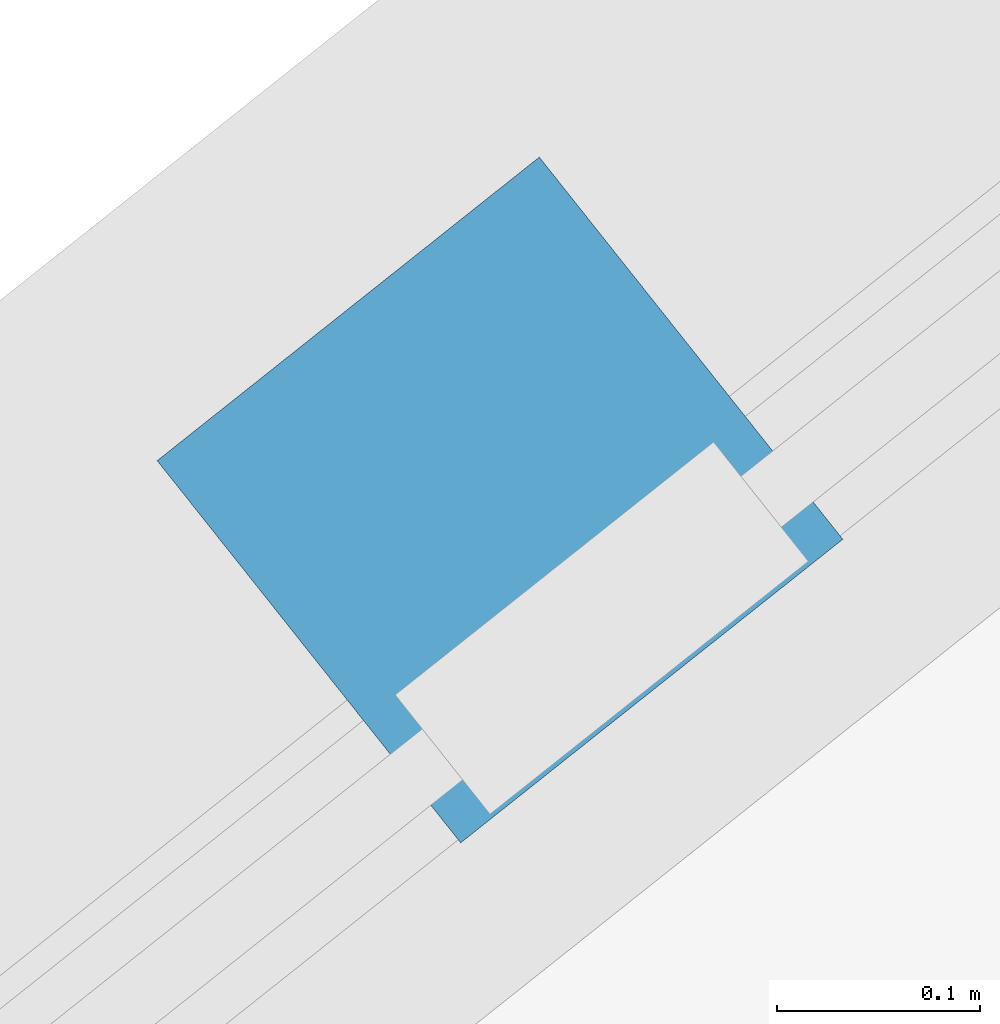
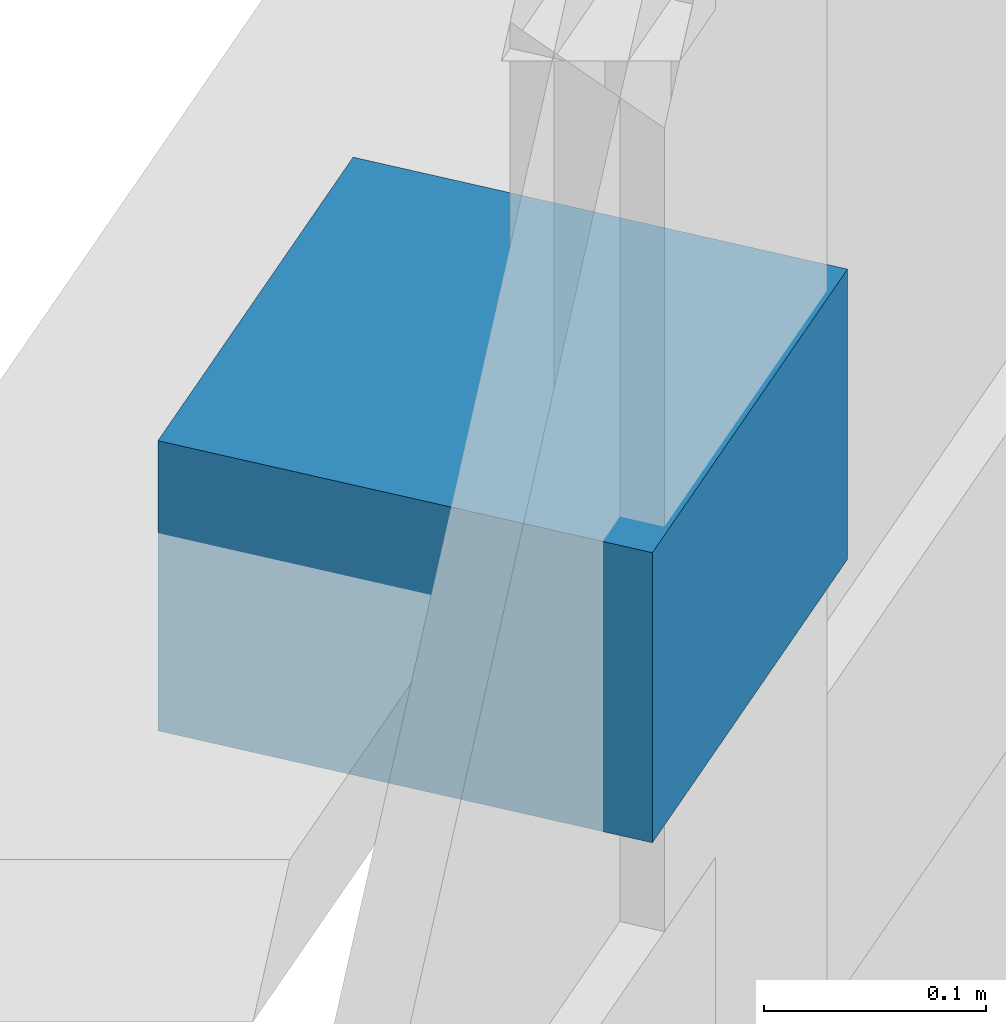
# One storey, part 69 of 76: 1 discrete accessory.
"""IFC4 building model written with IfcOpenShell, lengths in metres."""

import ifcopenshell
import ifcopenshell.guid

model = None  # the IFC model being written
_history = None  # IfcOwnerHistory: only IFC2X3 demands one
_inside = {}  # id of a spatial element -> (the spatial element, [elements in it])
_under = {}  # id of a project, library or spatial element -> (it, [spatial elements below it])
_declared = {}  # id of a project -> (the project, [libraries it declares])
_typed = {}  # id of a type object -> (the type object, [elements of that type])
_made_of = {}  # id of a material, layer set ... -> (it, [elements and type objects made of it])


def new_model(schema):
    """Start an empty IFC model of exactly this schema.

    Asked for "IFC4X3", IfcOpenShell would pick the latest addendum, in which some entities
    have other attributes; the version numbers below select the first issue.
    IFC2X3 requires an IfcOwnerHistory on every rooted entity: one is made here for all.
    """
    global model, _history
    if schema == "IFC4X3":
        model = ifcopenshell.file(schema_version=(4, 3, 0, 0))
    else:
        model = ifcopenshell.file(schema=schema)
    _inside.clear()
    _under.clear()
    _declared.clear()
    _typed.clear()
    _made_of.clear()
    _history = None
    if model.schema == "IFC2X3":
        org = make("IfcOrganization", Name="unknown")
        user = make(
            "IfcPersonAndOrganization",
            ThePerson=make("IfcPerson", FamilyName="unknown"),
            TheOrganization=org,
        )
        app = make(
            "IfcApplication",
            ApplicationDeveloper=org,
            Version="unknown",
            ApplicationFullName="unknown",
            ApplicationIdentifier="unknown",
        )
        _history = make(
            "IfcOwnerHistory",
            OwningUser=user,
            OwningApplication=app,
            ChangeAction="ADDED",
            CreationDate=0,
        )
    return model


def make(cls, **values):
    """One entity of the class cls with the attributes given. An attribute that is None is left unset."""
    return model.create_entity(
        cls, **{name: value for name, value in values.items() if value is not None}
    )


def rooted(cls, **values):
    """An entity with a GlobalId (a new one), such as an element, a storey or a relation."""
    return make(cls, GlobalId=ifcopenshell.guid.new(), OwnerHistory=_history, **values)


def si_unit(unit_type, name, prefix=None):
    """IfcSIUnit, for example si_unit("LENGTHUNIT", "METRE", prefix="MILLI")."""
    return make("IfcSIUnit", UnitType=unit_type, Prefix=prefix, Name=name)


def assignment(units):
    """IfcUnitAssignment: the units of a project."""
    return None if units is None else make("IfcUnitAssignment", Units=units)


def point(xyz):
    """IfcCartesianPoint."""
    return None if xyz is None else make("IfcCartesianPoint", Coordinates=xyz)


def direction(xyz):
    """IfcDirection."""
    return None if xyz is None else make("IfcDirection", DirectionRatios=xyz)


def frame(location, z_axis=None, x_axis=None):
    """IfcAxis2Placement3D, a coordinate frame: its origin and axes. An axis left out is left unset."""
    return make(
        "IfcAxis2Placement3D",
        Location=point(location),
        Axis=direction(z_axis),
        RefDirection=direction(x_axis),
    )


def frame_2d(location, x_axis=None):
    """IfcAxis2Placement2D, a coordinate frame in the plane: its origin and x axis."""
    return make(
        "IfcAxis2Placement2D", Location=point(location), RefDirection=direction(x_axis)
    )


def origin():
    """The frame at (0, 0, 0) with its axes left unset."""
    return frame((0.0, 0.0, 0.0))


def origin_2d():
    """The frame at (0, 0) in the plane with its x axis left unset."""
    return frame_2d((0.0, 0.0))


def place(relative_to, where):
    """IfcLocalPlacement: puts the frame where relative to a parent placement (None: the world)."""
    return make(
        "IfcLocalPlacement", PlacementRelTo=relative_to, RelativePlacement=where
    )


def context(
    kind, dimensions, precision=None, world=None, true_north=None, identifier=None
):
    """IfcGeometricRepresentationContext, for example the 3D "Model" context."""
    return make(
        "IfcGeometricRepresentationContext",
        ContextIdentifier=identifier,
        ContextType=kind,
        CoordinateSpaceDimension=dimensions,
        Precision=precision,
        WorldCoordinateSystem=world,
        TrueNorth=true_north,
    )


def subcontext(parent, identifier, kind, view, scale=None):
    """IfcGeometricRepresentationSubContext, for example "Body" below "Model"."""
    return make(
        "IfcGeometricRepresentationSubContext",
        ContextIdentifier=identifier,
        ContextType=kind,
        ParentContext=parent,
        TargetScale=scale,
        TargetView=view,
    )


def project(units=None, contexts=None):
    """IfcProject with its units and contexts."""
    return rooted(
        "IfcProject",
        Name="project",
        RepresentationContexts=contexts,
        UnitsInContext=assignment(units),
    )


def spatial(cls, under=None, at=None, **own):
    """A site, building, storey or space (cls), placed at a placement, below another one or the project."""
    s = rooted(cls, ObjectPlacement=at, **own)
    if under is not None:
        _under.setdefault(under.id(), (under, []))[1].append(s)
    return s


def profile(cls, at=None, kind="AREA", **sizes):
    """A parametric profile (cls). Its sizes go by their IFC names, for example OverallWidth=200.0."""
    return make(cls, ProfileType=kind, Position=at, **sizes)


def rectangle(**sizes):
    """IfcRectangleProfileDef."""
    return profile("IfcRectangleProfileDef", **sizes)


def extrude(swept, where, along, depth):
    """IfcExtrudedAreaSolid: the profile swept, set in the frame where, extruded along a direction by depth."""
    return make(
        "IfcExtrudedAreaSolid",
        SweptArea=swept,
        Position=where,
        ExtrudedDirection=direction(along),
        Depth=depth,
    )


def shape(context_of_items, identifier, shape_type, items):
    """IfcShapeRepresentation: the items that make up one representation, for example the "Body"."""
    return make(
        "IfcShapeRepresentation",
        ContextOfItems=context_of_items,
        RepresentationIdentifier=identifier,
        RepresentationType=shape_type,
        Items=items,
    )


def material(Name=None, Category=None):
    """IfcMaterial."""
    return make("IfcMaterial", Name=Name, Category=Category)


def made_of(thing, what):
    """Note that an element or type object is made of a material, layer set ...; save() writes the relation."""
    if what is not None:
        _made_of.setdefault(what.id(), (what, []))[1].append(thing)
    return thing


def type_object(cls, material=None, **own):
    """A type object (cls), such as IfcWallType, which elements share."""
    return made_of(rooted(cls, **own), material)


def element(
    cls,
    number,
    at=None,
    inside=None,
    cuts=None,
    type_object=None,
    material=None,
    context=None,
    identifier="Body",
    shape_type=None,
    held_by="IfcProductDefinitionShape",
    body=None,
    shapes=None,
    **own,
):
    """One element of the class cls, such as IfcWall. Its Tag is "e" and its number.

    at: its placement. inside: the storey or other place that contains it. cuts: it is an
    opening in that element (IfcRelVoidsElement). A single representation is given by context,
    identifier, shape_type and body (its items); several are given by shapes. held_by: the class
    of the entity that holds the representations. save() writes the other relations.
    """
    e = rooted(cls, Tag="e%d" % number, ObjectPlacement=at, **own)
    if body is not None:
        shapes = [shape(context, identifier, shape_type, body)]
    if shapes is not None:
        e.Representation = make(held_by, Representations=shapes)
    if inside is not None:
        _inside.setdefault(inside.id(), (inside, []))[1].append(e)
    if cuts is not None:
        rooted(
            "IfcRelVoidsElement", RelatingBuildingElement=cuts, RelatedOpeningElement=e
        )
    if type_object is not None:
        _typed.setdefault(type_object.id(), (type_object, []))[1].append(e)
    return made_of(e, material)


def aggregate(whole, parts):
    """IfcRelAggregates: a whole, such as a stair, and the parts it consists of."""
    return rooted("IfcRelAggregates", RelatingObject=whole, RelatedObjects=parts)


def save(model, path):
    """Write the relations noted so far, then the file.

    IfcRelAggregates (storeys below a building ...), IfcRelContainedInSpatialStructure (elements
    in a storey), IfcRelDefinesByType, IfcRelAssociatesMaterial and IfcRelDeclares: one each for
    every whole, place, type object, material and project.
    """
    for whole, parts in _under.values():
        aggregate(whole, parts)
    for where, things in _inside.values():
        rooted(
            "IfcRelContainedInSpatialStructure",
            RelatedElements=things,
            RelatingStructure=where,
        )
    for kind, things in _typed.values():
        rooted("IfcRelDefinesByType", RelatedObjects=things, RelatingType=kind)
    for what, things in _made_of.values():
        rooted("IfcRelAssociatesMaterial", RelatedObjects=things, RelatingMaterial=what)
    for by, libraries in _declared.values():
        rooted("IfcRelDeclares", RelatingContext=by, RelatedDefinitions=libraries)
    model.write(path)


model = new_model("IFC4")

# Units and contexts
model_context = context("Model", 3, precision=1e-05, world=origin(), true_north=direction((0.0, 1.0)))
body_context = subcontext(model_context, "Body", "Model", "MODEL_VIEW")
ifc_project = project(units=[si_unit("LENGTHUNIT", "METRE"), si_unit("AREAUNIT", "SQUARE_METRE"), si_unit("VOLUMEUNIT", "CUBIC_METRE"), si_unit("PLANEANGLEUNIT", "RADIAN"), si_unit("MASSUNIT", "GRAM", prefix="KILO")], contexts=[model_context])

# Site, building, storey
site_placement = place(None, origin())
site = spatial("IfcSite", under=ifc_project, at=site_placement, CompositionType="ELEMENT")
building_placement = place(site_placement, origin())
building = spatial("IfcBuilding", under=site, at=building_placement, Name="Tameran Prism Museum", CompositionType="ELEMENT")
storey_placement = place(building_placement, frame((0.0, 0.0, 15.0)))
storey = spatial("IfcBuildingStorey", under=building, at=storey_placement, Name="L03", CompositionType="ELEMENT", Elevation=15.0)

# Discrete accessory
ifc_material = material(Name="Galvanized Steel Grade 350 (350 MPa)", Category="steel")
discrete_accessory_type = type_object("IfcDiscreteAccessoryType", Name="DA-BRK-STL", PredefinedType="BRACKET", material=ifc_material)
discrete_accessory_placement = place(storey_placement, frame((108.0, 107.81298828125, 3.08984375), z_axis=(0.0, 0.0, 1.0), x_axis=(0.783042563302, 0.621968121415, 0.0)))
element("IfcDiscreteAccessory", 1, at=discrete_accessory_placement, inside=storey, type_object=discrete_accessory_type, Name="Facade Sunshade Bracket BK-057", PredefinedType="BRACKET", context=body_context, shape_type="SweptSolid", body=[
    extrude(rectangle(XDim=0.239990234375, YDim=0.239990234375, at=origin_2d()), origin(), (0.0, 0.0, 1.0), 0.159912109375),
])

save(model, "model.ifc")
